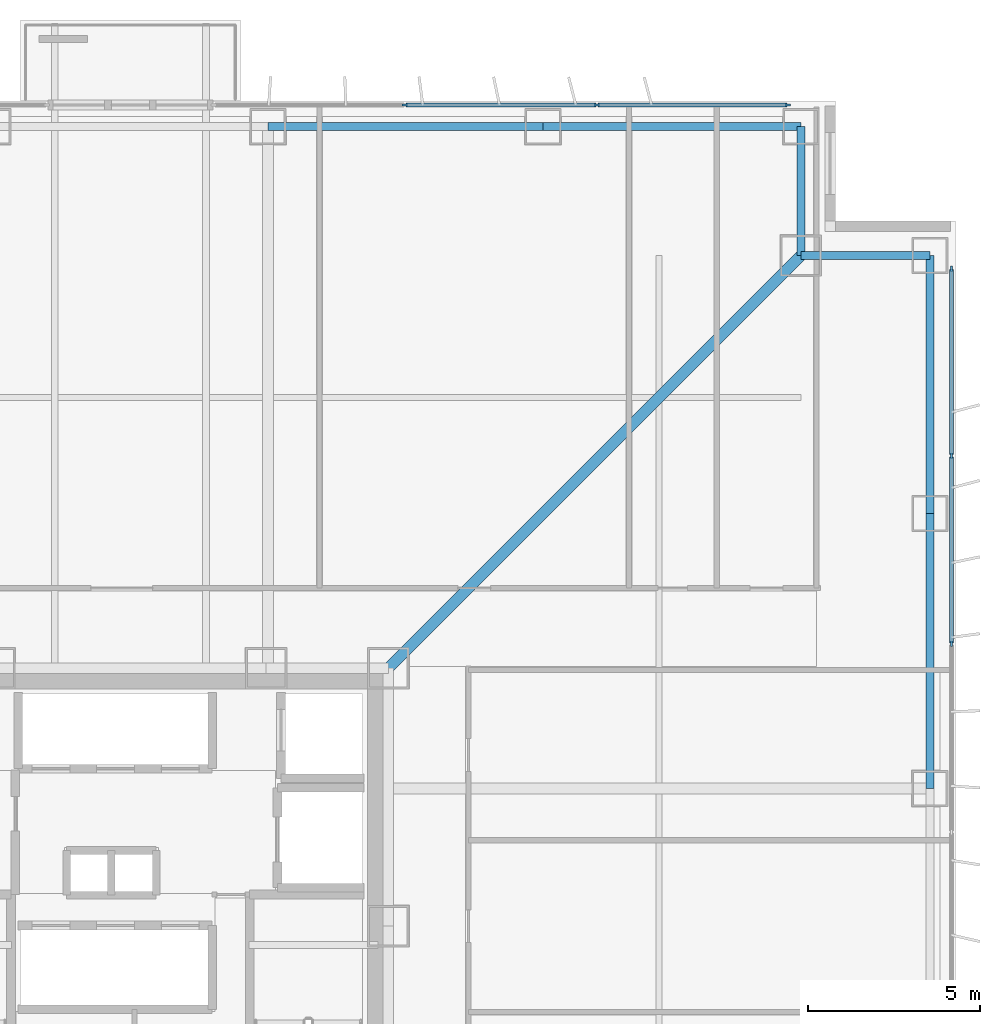
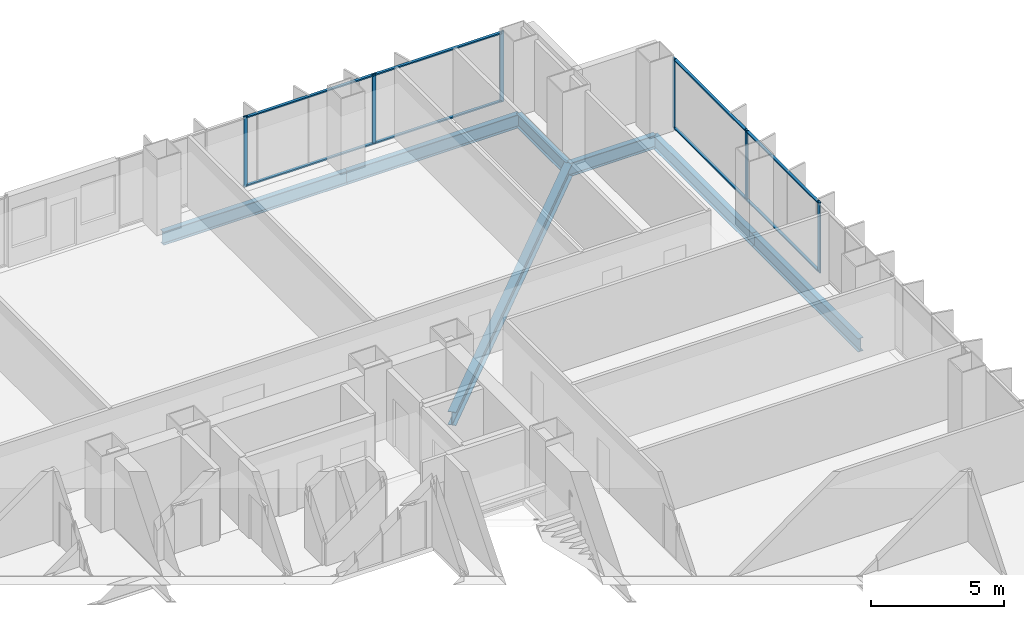
# One storey, part 12 of 21: 14 members, 7 beams, 2 elements without a shape of their own.
"""IFC4 building model written with IfcOpenShell, lengths in metres."""

from ifc_helpers import new_model, si_unit, direction, frame, origin, origin_2d, place, context, subcontext, project, spatial, rectangle, i_section, extrude, material, layer, layer_set, material_profile, profile_set, type_object, element, aggregate, save


model = new_model("IFC4")

# Units and contexts
model_context = context("Model", 3, precision=1e-05, world=origin(), true_north=direction((0.0, 1.0)))
body_context = subcontext(model_context, "Body", "Model", "MODEL_VIEW")
ifc_project = project(units=[si_unit("LENGTHUNIT", "METRE"), si_unit("AREAUNIT", "SQUARE_METRE"), si_unit("VOLUMEUNIT", "CUBIC_METRE"), si_unit("PLANEANGLEUNIT", "RADIAN"), si_unit("MASSUNIT", "GRAM", prefix="KILO")], contexts=[model_context])

# Site, building, storey
site_placement = place(None, origin())
site = spatial("IfcSite", under=ifc_project, at=site_placement, CompositionType="ELEMENT")
building_placement = place(site_placement, origin())
building = spatial("IfcBuilding", under=site, at=building_placement, Name="Trevonay Congress Spire", CompositionType="ELEMENT")
storey_placement = place(building_placement, frame((0.0, 0.0, 37.5)))
storey = spatial("IfcBuildingStorey", under=building, at=storey_placement, Name="L08", CompositionType="ELEMENT", Elevation=37.5)

# Beams
ifc_material_1 = material(Name="Steel ASTM A572 Grade 50", Category="steel")
ifc_material_profile_1 = material_profile(ifc_material_1, i_section(OverallWidth=0.324951171875, OverallDepth=0.615966796875, WebThickness=0.013916015625, FlangeThickness=0.021484375, FilletRadius=0.01806640625, at=origin_2d()), Name="W610x174")
ifc_profile_set_1 = profile_set([ifc_material_profile_1], Name="Steel ASTM A572 Grade 50")
beam_type_1 = type_object("IfcBeamType", Name="BM-GIRD-W610X174", PredefinedType="BEAM", material=ifc_profile_set_1)
beam_placement = place(storey_placement, frame((7.5, 7.5, -0.55810546875), z_axis=(0.707106781187, 0.707106781187, 0.0), x_axis=(-0.707106781187, 0.707106781187, 0.0)))
element("IfcBeam", 1, at=beam_placement, inside=storey, type_object=beam_type_1, Name="L08 structural beam BM-L08-CDNE", PredefinedType="BEAM", context=body_context, shape_type="SweptSolid", body=[
    extrude(i_section(OverallWidth=0.324951171875, OverallDepth=0.615966796875, WebThickness=0.013916015625, FlangeThickness=0.021484375, FilletRadius=0.01806640625, at=origin_2d()), origin(), (0.0, 0.0, 1.0), 16.970458984375),
])
ifc_material_profile_2 = material_profile(ifc_material_1, i_section(OverallWidth=0.22998046875, OverallDepth=0.616943359375, WebThickness=0.01318359375, FlangeThickness=0.022216796875, FilletRadius=0.01611328125, at=origin_2d()), Name="W610x140")
ifc_profile_set_2 = profile_set([ifc_material_profile_2], Name="Steel ASTM A572 Grade 50")
beam_type_2 = type_object("IfcBeamType", Name="BM-RING-W610X140", PredefinedType="BEAM", material=ifc_profile_set_2)
for number, where, z_axis, x_axis, name in (
    (2, (4.0, 23.25, -0.55859375), (1.0, 0.0, 0.0), (0.0, 1.0, 0.0), "L08 structural beam BM-L08-PN4"),
    (3, (23.25, 4.0, -0.55859375), (0.0, 1.0, 0.0), (-1.0, 0.0, 0.0), "L08 structural beam BM-L08-PE4"),
):
    element("IfcBeam", number, at=place(storey_placement, frame(where, z_axis=z_axis, x_axis=x_axis)), inside=storey, type_object=beam_type_2, Name=name, PredefinedType="BEAM", context=body_context, shape_type="SweptSolid", body=[
        extrude(i_section(OverallWidth=0.22998046875, OverallDepth=0.616943359375, WebThickness=0.01318359375, FlangeThickness=0.022216796875, FilletRadius=0.01611328125, at=origin_2d()), origin(), (0.0, 0.0, 1.0), 8.0),
    ])
for number, where, z_axis, x_axis, name in (
    (4, (12.0, 23.25, -0.55859375), (1.0, 0.0, 0.0), (0.0, 1.0, 0.0), "L08 structural beam BM-L08-PN5"),
    (5, (23.25, 12.0, -0.55859375), (0.0, 1.0, 0.0), (-1.0, 0.0, 0.0), "L08 structural beam BM-L08-PE5"),
):
    element("IfcBeam", number, at=place(storey_placement, frame(where, z_axis=z_axis, x_axis=x_axis)), inside=storey, type_object=beam_type_2, Name=name, PredefinedType="BEAM", context=body_context, shape_type="SweptSolid", body=[
        extrude(i_section(OverallWidth=0.22998046875, OverallDepth=0.616943359375, WebThickness=0.01318359375, FlangeThickness=0.022216796875, FilletRadius=0.01611328125, at=origin_2d()), origin(), (0.0, 0.0, 1.0), 7.5),
    ])
for number, where, z_axis, x_axis, name in (
    (6, (19.5, 23.25, -0.55859375), (0.0, -1.0, 0.0), (1.0, 0.0, 0.0), "L08 structural beam BM-L08-N1NE"),
    (7, (23.25, 19.5, -0.55859375), (-1.0, 0.0, 0.0), (0.0, -1.0, 0.0), "L08 structural beam BM-L08-N2NE"),
):
    element("IfcBeam", number, at=place(storey_placement, frame(where, z_axis=z_axis, x_axis=x_axis)), inside=storey, type_object=beam_type_2, Name=name, PredefinedType="BEAM", context=body_context, shape_type="SweptSolid", body=[
        extrude(i_section(OverallWidth=0.22998046875, OverallDepth=0.616943359375, WebThickness=0.01318359375, FlangeThickness=0.022216796875, FilletRadius=0.01611328125, at=origin_2d()), origin(), (0.0, 0.0, 1.0), 3.75),
    ])

# Curtain wall, members
ifc_material_2 = material(Name="Pale Anodised Aluminium EN AW-6063-T6", Category="aluminium")
ifc_layer = layer(ifc_material_2, 0.179931640625, Name="Pale Anodised Aluminium EN AW-6063-T6")
ifc_layer_set = layer_set([ifc_layer], Name="Pale Anodised Aluminium EN AW-6063-T6")
curtain_wall_type = type_object("IfcCurtainWallType", Name="CW-SYS02-HOTEL-PALE-METAL", PredefinedType="NOTDEFINED", material=ifc_layer_set)
curtain_wall_1_placement = place(storey_placement, origin())
curtain_wall_1 = element("IfcCurtainWall", 8, at=curtain_wall_1_placement, inside=storey, type_object=curtain_wall_type, Name="L08 NB unitised curtain wall", PredefinedType="NOTDEFINED")
ifc_material_profile_3 = material_profile(ifc_material_2, rectangle(XDim=0.06005859375, YDim=0.159912109375, at=origin_2d()), Name="CW-MULLION-160-ALUMINIUM")
ifc_profile_set_3 = profile_set([ifc_material_profile_3], Name="Pale Anodised Aluminium EN AW-6063-T6")
member_type_1 = type_object("IfcMemberType", Name="CW-MULLION-160-ALUMINIUM", PredefinedType="MULLION", material=ifc_profile_set_3)
member_1_placement = place(storey_placement, frame((7.9833984375, 23.8798828125, 0.0), z_axis=(0.0, 0.0, 1.0), x_axis=(0.0, 1.0, 0.0)))
member_1 = element("IfcMember", 9, at=member_1_placement, type_object=member_type_1, Name="CW02 mullion 2", PredefinedType="MULLION", context=body_context, shape_type="SweptSolid", body=[
    extrude(rectangle(XDim=0.06005859375, YDim=0.159912109375, at=origin_2d()), origin(), (0.0, 0.0, 1.0), 3.25),
])
member_2_placement = place(storey_placement, frame((13.566650390625, 23.8798828125, 0.0), z_axis=(0.0, 0.0, 1.0), x_axis=(0.0, 1.0, 0.0)))
member_2 = element("IfcMember", 10, at=member_2_placement, type_object=member_type_1, Name="CW02 mullion 3", PredefinedType="MULLION", context=body_context, shape_type="SweptSolid", body=[
    extrude(rectangle(XDim=0.06005859375, YDim=0.159912109375, at=origin_2d()), origin(), (0.0, 0.0, 1.0), 3.25),
])
member_3_placement = place(storey_placement, frame((19.1201171875, 23.8798828125, 0.0), z_axis=(0.0, 0.0, 1.0), x_axis=(0.0, 1.0, 0.0)))
member_3 = element("IfcMember", 11, at=member_3_placement, type_object=member_type_1, Name="CW02 mullion 4", PredefinedType="MULLION", context=body_context, shape_type="SweptSolid", body=[
    extrude(rectangle(XDim=0.06005859375, YDim=0.159912109375, at=origin_2d()), origin(), (0.0, 0.0, 1.0), 3.25),
])

curtain_wall_2_placement = place(storey_placement, origin())
curtain_wall_2 = element("IfcCurtainWall", 12, at=curtain_wall_2_placement, inside=storey, type_object=curtain_wall_type, Name="L08 E unitised curtain wall", PredefinedType="NOTDEFINED")
member_4_placement = place(storey_placement, frame((23.8798828125, 8.20703125, 0.0), z_axis=(0.0, 0.0, 1.0), x_axis=(-1.0, 0.0, 0.0)))
member_4 = element("IfcMember", 13, at=member_4_placement, type_object=member_type_1, Name="CW02 mullion 6", PredefinedType="MULLION", context=body_context, shape_type="SweptSolid", body=[
    extrude(rectangle(XDim=0.06005859375, YDim=0.159912109375, at=origin_2d()), origin(), (0.0, 0.0, 1.0), 3.25),
])
member_5_placement = place(storey_placement, frame((23.8798828125, 13.678466796875, 0.0), z_axis=(0.0, 0.0, 1.0), x_axis=(-1.0, 0.0, 0.0)))
member_5 = element("IfcMember", 14, at=member_5_placement, type_object=member_type_1, Name="CW02 mullion 7", PredefinedType="MULLION", context=body_context, shape_type="SweptSolid", body=[
    extrude(rectangle(XDim=0.06005859375, YDim=0.159912109375, at=origin_2d()), origin(), (0.0, 0.0, 1.0), 3.25),
])
member_6_placement = place(storey_placement, frame((23.8798828125, 19.1201171875, 0.0), z_axis=(0.0, 0.0, 1.0), x_axis=(-1.0, 0.0, 0.0)))
member_6 = element("IfcMember", 15, at=member_6_placement, type_object=member_type_1, Name="CW02 mullion 8", PredefinedType="MULLION", context=body_context, shape_type="SweptSolid", body=[
    extrude(rectangle(XDim=0.06005859375, YDim=0.159912109375, at=origin_2d()), origin(), (0.0, 0.0, 1.0), 3.25),
])

# Member
ifc_material_profile_4 = material_profile(ifc_material_2, rectangle(XDim=0.1201171875, YDim=0.06005859375, at=origin_2d()), Name="CW-TRANSOM-120-ALUMINIUM")
ifc_profile_set_4 = profile_set([ifc_material_profile_4], Name="Pale Anodised Aluminium EN AW-6063-T6")
member_type_2 = type_object("IfcMemberType", Name="CW-TRANSOM-120-ALUMINIUM", PredefinedType="USERDEFINED", material=ifc_profile_set_4)
member_7_placement = place(storey_placement, frame((8.013427734375, 23.8798828125, 0.06005859375), z_axis=(1.0, 0.0, 0.0), x_axis=(0.0, 1.0, 0.0)))
member_7 = element("IfcMember", 16, at=member_7_placement, type_object=member_type_2, Name="CW02 transom 2.1", ObjectType="TRANSOM", PredefinedType="USERDEFINED", context=body_context, shape_type="SweptSolid", body=[
    extrude(rectangle(XDim=0.1201171875, YDim=0.06005859375, at=origin_2d()), origin(), (0.0, 0.0, 1.0), 5.523193359375),
])

member_8_placement = place(storey_placement, frame((8.013427734375, 23.8798828125, 3.18994140625), z_axis=(1.0, 0.0, 0.0), x_axis=(0.0, 1.0, 0.0)))
member_8 = element("IfcMember", 17, at=member_8_placement, type_object=member_type_2, Name="CW02 transom 2.2", ObjectType="TRANSOM", PredefinedType="USERDEFINED", context=body_context, shape_type="SweptSolid", body=[
    extrude(rectangle(XDim=0.1201171875, YDim=0.06005859375, at=origin_2d()), origin(), (0.0, 0.0, 1.0), 5.523193359375),
])

member_9_placement = place(storey_placement, frame((13.5966796875, 23.8798828125, 0.06005859375), z_axis=(1.0, 0.0, 0.0), x_axis=(0.0, 1.0, 0.0)))
member_9 = element("IfcMember", 18, at=member_9_placement, type_object=member_type_2, Name="CW02 transom 3.1", ObjectType="TRANSOM", PredefinedType="USERDEFINED", context=body_context, shape_type="SweptSolid", body=[
    extrude(rectangle(XDim=0.1201171875, YDim=0.06005859375, at=origin_2d()), origin(), (0.0, 0.0, 1.0), 5.493408203125),
])

member_10_placement = place(storey_placement, frame((13.5966796875, 23.8798828125, 3.18994140625), z_axis=(1.0, 0.0, 0.0), x_axis=(0.0, 1.0, 0.0)))
member_10 = element("IfcMember", 19, at=member_10_placement, type_object=member_type_2, Name="CW02 transom 3.2", ObjectType="TRANSOM", PredefinedType="USERDEFINED", context=body_context, shape_type="SweptSolid", body=[
    extrude(rectangle(XDim=0.1201171875, YDim=0.06005859375, at=origin_2d()), origin(), (0.0, 0.0, 1.0), 5.493408203125),
])

aggregate(curtain_wall_1, [member_1, member_2, member_3, member_7, member_8, member_9, member_10])

member_11_placement = place(storey_placement, frame((23.8798828125, 8.237060546875, 0.06005859375), z_axis=(0.0, 1.0, 0.0), x_axis=(-1.0, 0.0, 0.0)))
member_11 = element("IfcMember", 20, at=member_11_placement, type_object=member_type_2, Name="CW02 transom 6.1", ObjectType="TRANSOM", PredefinedType="USERDEFINED", context=body_context, shape_type="SweptSolid", body=[
    extrude(rectangle(XDim=0.1201171875, YDim=0.06005859375, at=origin_2d()), origin(), (0.0, 0.0, 1.0), 5.41162109375),
])

member_12_placement = place(storey_placement, frame((23.8798828125, 8.237060546875, 3.18994140625), z_axis=(0.0, 1.0, 0.0), x_axis=(-1.0, 0.0, 0.0)))
member_12 = element("IfcMember", 21, at=member_12_placement, type_object=member_type_2, Name="CW02 transom 6.2", ObjectType="TRANSOM", PredefinedType="USERDEFINED", context=body_context, shape_type="SweptSolid", body=[
    extrude(rectangle(XDim=0.1201171875, YDim=0.06005859375, at=origin_2d()), origin(), (0.0, 0.0, 1.0), 5.41162109375),
])

member_13_placement = place(storey_placement, frame((23.8798828125, 13.70849609375, 0.06005859375), z_axis=(0.0, 1.0, 0.0), x_axis=(-1.0, 0.0, 0.0)))
member_13 = element("IfcMember", 22, at=member_13_placement, type_object=member_type_2, Name="CW02 transom 7.1", ObjectType="TRANSOM", PredefinedType="USERDEFINED", context=body_context, shape_type="SweptSolid", body=[
    extrude(rectangle(XDim=0.1201171875, YDim=0.06005859375, at=origin_2d()), origin(), (0.0, 0.0, 1.0), 5.381591796875),
])

member_14_placement = place(storey_placement, frame((23.8798828125, 13.70849609375, 3.18994140625), z_axis=(0.0, 1.0, 0.0), x_axis=(-1.0, 0.0, 0.0)))
member_14 = element("IfcMember", 23, at=member_14_placement, type_object=member_type_2, Name="CW02 transom 7.2", ObjectType="TRANSOM", PredefinedType="USERDEFINED", context=body_context, shape_type="SweptSolid", body=[
    extrude(rectangle(XDim=0.1201171875, YDim=0.06005859375, at=origin_2d()), origin(), (0.0, 0.0, 1.0), 5.381591796875),
])

aggregate(curtain_wall_2, [member_4, member_5, member_6, member_11, member_12, member_13, member_14])

save(model, "model.ifc")
